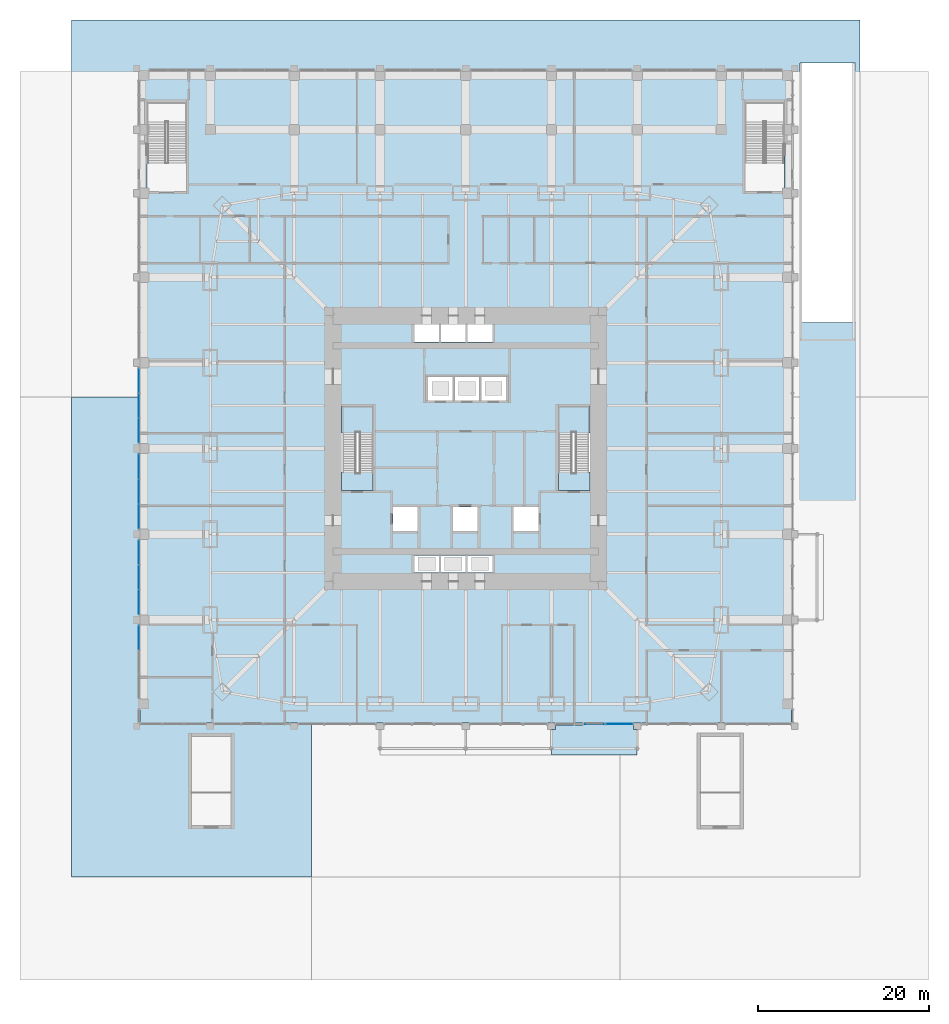
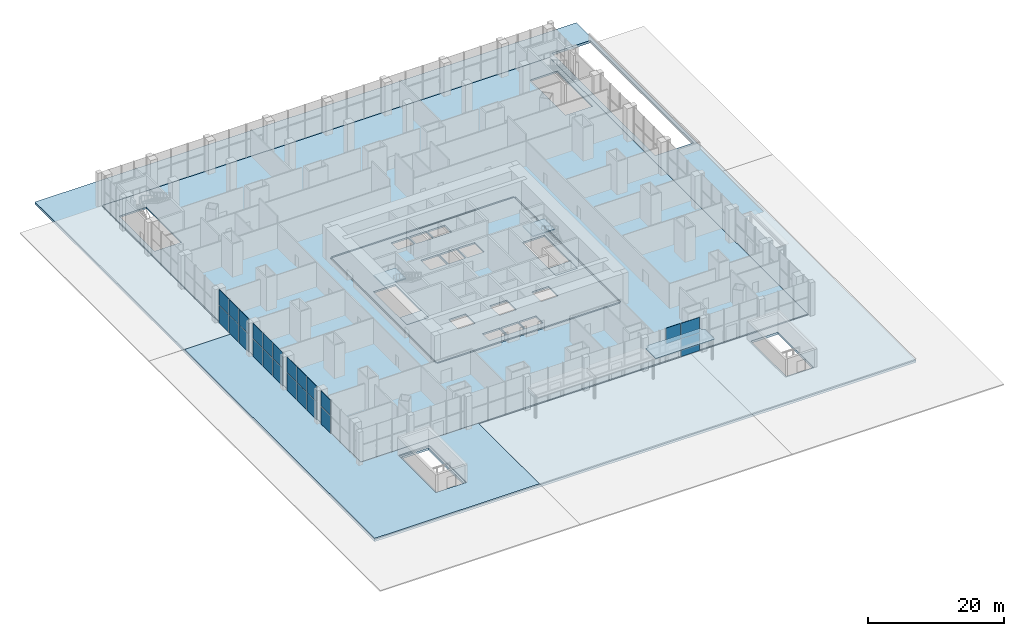
# One storey, part 18 of 31: 23 plates, 9 slabs, 8 elements without a shape of their own.
"""IFC4 building model written with IfcOpenShell, lengths in metres."""

from ifc_helpers import new_model, si_unit, direction, frame, origin, origin_2d, place, context, subcontext, project, spatial, polyline, rectangle, outline, extrude, material, layer, layer_set, type_object, element, aggregate, save


model = new_model("IFC4")

# Units and contexts
model_context = context("Model", 3, precision=1e-05, world=origin(), true_north=direction((0.0, 1.0)))
body_context = subcontext(model_context, "Body", "Model", "MODEL_VIEW")
ifc_project = project(units=[si_unit("LENGTHUNIT", "METRE"), si_unit("AREAUNIT", "SQUARE_METRE"), si_unit("VOLUMEUNIT", "CUBIC_METRE"), si_unit("PLANEANGLEUNIT", "RADIAN"), si_unit("MASSUNIT", "GRAM", prefix="KILO")], contexts=[model_context])

# Site, building, storey
site_placement = place(None, origin())
site = spatial("IfcSite", under=ifc_project, at=site_placement, CompositionType="ELEMENT")
building_placement = place(site_placement, origin())
building = spatial("IfcBuilding", under=site, at=building_placement, Name="Khuree Lantern Residences", CompositionType="ELEMENT")
storey_placement = place(building_placement, origin())
storey = spatial("IfcBuildingStorey", under=building, at=storey_placement, Name="L00", CompositionType="ELEMENT", Elevation=0.0)

# Slabs
ifc_material_1 = material(Name="Concrete C35/45", Category="concrete")
ifc_layer_1 = layer(ifc_material_1, 0.300048828125)
ifc_layer_set_1 = layer_set([ifc_layer_1], Name="CFL300 CORE FLOOR SLAB 300")
slab_type_1 = type_object("IfcSlabType", Name="CFL300 CORE FLOOR SLAB 300", PredefinedType="FLOOR", material=ifc_layer_set_1)
slab_1_placement = place(storey_placement, frame((0.0, 0.0, -0.300048828125)))
element("IfcSlab", 1, at=slab_1_placement, inside=storey, type_object=slab_type_1, Name="Core floor L00", PredefinedType="FLOOR", context=body_context, shape_type="SweptSolid", body=[
    extrude(outline(polyline([(-15.5, -15.5), (-15.5, 15.5), (15.5, 15.5), (15.5, -15.5), (-15.5, -15.5)]), holes=[polyline([(14.5, -4.89990234375), (14.5, 4.89990234375), (10.800048828125, 4.89990234375), (10.800048828125, -4.89990234375), (14.5, -4.89990234375)]), polyline([(8.5, -9.60009765625), (8.5, -6.800048828125), (5.60009765625, -6.800048828125), (5.60009765625, -9.60009765625), (8.5, -9.60009765625)]), polyline([(4.699951171875, 8.39990234375), (1.800048828125, 8.39990234375), (1.800048828125, 5.60009765625), (4.699951171875, 5.60009765625), (4.699951171875, 8.39990234375)]), polyline([(3.10009765625, -12.449951171875), (0.199951171875, -12.449951171875), (0.199951171875, -14.449951171875), (3.10009765625, -14.449951171875), (3.10009765625, -12.449951171875)]), polyline([(3.10009765625, 14.449951171875), (0.199951171875, 14.449951171875), (0.199951171875, 12.449951171875), (3.10009765625, 12.449951171875), (3.10009765625, 14.449951171875)]), polyline([(1.60009765625, 8.39990234375), (-1.300048828125, 8.39990234375), (-1.300048828125, 5.60009765625), (1.60009765625, 5.60009765625), (1.60009765625, 8.39990234375)]), polyline([(1.39990234375, -6.800048828125), (-1.5, -6.800048828125), (-1.5, -9.60009765625), (1.39990234375, -9.60009765625), (1.39990234375, -6.800048828125)]), polyline([(0.0, -12.449951171875), (-2.89990234375, -12.449951171875), (-2.89990234375, -14.449951171875), (0.0, -14.449951171875), (0.0, -12.449951171875)]), polyline([(0.0, 12.449951171875), (0.0, 14.449951171875), (-2.89990234375, 14.449951171875), (-2.89990234375, 12.449951171875), (0.0, 12.449951171875)]), polyline([(-1.5, 8.39990234375), (-4.39990234375, 8.39990234375), (-4.39990234375, 5.60009765625), (-1.5, 5.60009765625), (-1.5, 8.39990234375)]), polyline([(-3.10009765625, -12.449951171875), (-6.0, -12.449951171875), (-6.0, -14.449951171875), (-3.10009765625, -14.449951171875), (-3.10009765625, -12.449951171875)]), polyline([(-3.10009765625, 12.449951171875), (-3.10009765625, 14.449951171875), (-6.0, 14.449951171875), (-6.0, 12.449951171875), (-3.10009765625, 12.449951171875)]), polyline([(-5.60009765625, -6.800048828125), (-8.5, -6.800048828125), (-8.5, -9.60009765625), (-5.60009765625, -9.60009765625), (-5.60009765625, -6.800048828125)]), polyline([(-10.800048828125, 4.89990234375), (-14.5, 4.89990234375), (-14.5, -4.89990234375), (-10.800048828125, -4.89990234375), (-10.800048828125, 4.89990234375)])]), origin(), (0.0, 0.0, 1.0), 0.300048828125),
])
ifc_material_2 = material(Name="Laminated glass on bronze anodised aluminium frame", Category="aluminium")
ifc_layer_2 = layer(ifc_material_2, 0.080078125)
ifc_layer_set_2 = layer_set([ifc_layer_2], Name="ENTRANCE CANOPY CN1 80")
slab_type_2 = type_object("IfcSlabType", Name="ENTRANCE CANOPY CN1 80", PredefinedType="USERDEFINED", material=ifc_layer_set_2)
slab_2_placement = place(storey_placement, frame((0.0, 0.0, 4.0)))
element("IfcSlab", 2, at=slab_2_placement, inside=storey, type_object=slab_type_2, Name="SOUTH FACE BAY 6 ENTRANCE CANOPY", ObjectType="Canopy", PredefinedType="USERDEFINED", context=body_context, shape_type="SweptSolid", body=[
    extrude(outline(polyline([(10.449951171875, -32.25), (19.550048828125, -32.25), (19.550048828125, -32.75), (20.0, -32.75), (20.0, -35.75), (10.0, -35.75), (10.0, -32.75), (10.449951171875, -32.75), (10.449951171875, -32.25)])), origin(), (0.0, 0.0, 1.0), 0.080078125),
])
ifc_layer_3 = layer(ifc_material_1, 0.300048828125)
ifc_layer_set_3 = layer_set([ifc_layer_3], Name="FS300 FLOOR SLAB 300")
slab_type_3 = type_object("IfcSlabType", Name="FS300 FLOOR SLAB 300", PredefinedType="FLOOR", material=ifc_layer_set_3)
slab_3_placement = place(storey_placement, frame((0.0, 0.0, -0.300048828125)))
element("IfcSlab", 3, at=slab_3_placement, inside=storey, type_object=slab_type_3, Name="Floor slab L00", PredefinedType="FLOOR", context=body_context, shape_type="SweptSolid", body=[
    extrude(outline(polyline([(-38.0, 44.0), (38.0, 44.0), (38.0, -32.0), (-38.0, -32.0), (-38.0, 44.0)]), holes=[polyline([(37.199951171875, 30.0), (37.199951171875, 40.39990234375), (32.60009765625, 40.39990234375), (32.60009765625, 30.0), (37.199951171875, 30.0)]), polyline([(15.75, 15.5), (15.5, 15.5), (15.5, 15.75), (-15.5, 15.75), (-15.5, 15.5), (-15.75, 15.5), (-15.75, -15.5), (-15.5, -15.5), (-15.5, -15.75), (15.5, -15.75), (15.5, -15.5), (15.75, -15.5), (15.75, 15.5)]), polyline([(-32.60009765625, 40.39990234375), (-37.199951171875, 40.39990234375), (-37.199951171875, 30.0), (-32.60009765625, 30.0), (-32.60009765625, 40.39990234375)])]), origin(), (0.0, 0.0, 1.0), 0.300048828125),
])
ifc_layer_4 = layer(ifc_material_1, 0.39990234375)
ifc_layer_set_4 = layer_set([ifc_layer_4], Name="PD400 PLAZA DECK 400")
slab_type_4 = type_object("IfcSlabType", Name="PD400 PLAZA DECK 400", PredefinedType="FLOOR", material=ifc_layer_set_4)
slab_4_placement = place(storey_placement, frame((0.0, 0.0, -0.60009765625)))
element("IfcSlab", 4, at=slab_4_placement, inside=storey, type_object=slab_type_4, Name="Plaza deck", PredefinedType="FLOOR", context=body_context, shape_type="SweptSolid", body=[
    extrude(outline(polyline([(46.0, 50.0), (46.0, -50.0), (-46.0, -50.0), (-46.0, 50.0), (46.0, 50.0)]), holes=[polyline([(39.0, 45.0), (39.0, 14.699951171875), (45.5, 14.699951171875), (45.5, 45.0), (39.0, 45.0)]), polyline([(-38.0, -32.0), (38.0, -32.0), (38.0, 44.0), (-38.0, 44.0), (-38.0, -32.0)]), polyline([(32.0, -33.60009765625), (27.39990234375, -33.60009765625), (27.39990234375, -44.0), (32.0, -44.0), (32.0, -33.60009765625)]), polyline([(-27.39990234375, -33.60009765625), (-32.0, -33.60009765625), (-32.0, -44.0), (-27.39990234375, -44.0), (-27.39990234375, -33.60009765625)])]), origin(), (0.0, 0.0, 1.0), 0.400146484375),
])
ifc_material_3 = material(Name="Flamed granite setts on pedestals over the deck", Category="masonry")
ifc_layer_5 = layer(ifc_material_3, 0.199951171875)
ifc_layer_set_5 = layer_set([ifc_layer_5], Name="PLAZA PAVING")
slab_type_5 = type_object("IfcSlabType", Name="PLAZA PAVING", PredefinedType="USERDEFINED", material=ifc_layer_set_5)
slab_5_placement = place(storey_placement, frame((0.0, 0.0, -0.199951171875)))
element("IfcSlab", 5, at=slab_5_placement, inside=storey, type_object=slab_type_5, Name="PLAZA PAVING BAY 3", ObjectType="PAVING", PredefinedType="USERDEFINED", context=body_context, shape_type="SweptSolid", body=[
    extrude(outline(polyline([(-18.0048828125, -32.0), (-18.0048828125, -50.0), (-46.0, -50.0), (-46.0, 5.9951171875), (-38.0, 5.9951171875), (-38.0, -32.0), (-18.0048828125, -32.0)]), holes=[polyline([(-27.10009765625, -44.300048828125), (-27.10009765625, -33.300048828125), (-32.300048828125, -33.300048828125), (-32.300048828125, -44.300048828125), (-27.10009765625, -44.300048828125)])]), origin(), (0.0, 0.0, 1.0), 0.199951171875),
])

# Stair, slabs
ifc_material_4 = material(Name="Concrete C40/50", Category="concrete")
stair_type = type_object("IfcStairType", Name="STAIR ST1 HALF TURN 3600", PredefinedType="HALF_TURN_STAIR", material=ifc_material_4)
stair_1_placement = place(storey_placement, origin())
stair_1 = element("IfcStair", 6, at=stair_1_placement, inside=storey, type_object=stair_type, Name="Stair ST1", PredefinedType="HALF_TURN_STAIR")
ifc_layer_6 = layer(ifc_material_4, 0.199951171875)
ifc_layer_set_6 = layer_set([ifc_layer_6], Name="STAIR LANDING SL1 200")
slab_type_6 = type_object("IfcSlabType", Name="STAIR LANDING SL1 200", PredefinedType="LANDING", material=ifc_layer_set_6)
slab_6_placement = place(storey_placement, frame((0.0, 0.0, -0.199951171875)))
slab_6 = element("IfcSlab", 7, at=slab_6_placement, type_object=slab_type_6, Name="ST1 landing 1", PredefinedType="LANDING", context=body_context, shape_type="SweptSolid", body=[
    extrude(outline(polyline([(-14.5, -4.89990234375), (-10.800048828125, -4.89990234375), (-10.800048828125, -2.760009765625), (-14.5, -2.760009765625), (-14.5, -4.89990234375)])), origin(), (0.0, 0.0, 1.0), 0.199951171875),
])
slab_7_placement = place(storey_placement, frame((0.0, 0.0, 2.800048828125)))
slab_7 = element("IfcSlab", 8, at=slab_7_placement, type_object=slab_type_6, Name="ST1 landing 2", PredefinedType="LANDING", context=body_context, shape_type="SweptSolid", body=[
    extrude(outline(polyline([(-14.5, 1.800048828125), (-14.5, 4.89990234375), (-10.800048828125, 4.89990234375), (-10.800048828125, 1.800048828125), (-14.5, 1.800048828125)])), origin(), (0.0, 0.0, 1.0), 0.199951171875),
])
aggregate(stair_1, [slab_6, slab_7])

stair_2_placement = place(storey_placement, origin())
stair_2 = element("IfcStair", 9, at=stair_2_placement, inside=storey, type_object=stair_type, Name="Stair ST2", PredefinedType="HALF_TURN_STAIR")
slab_8_placement = place(storey_placement, frame((0.0, 0.0, -0.199951171875)))
slab_8 = element("IfcSlab", 10, at=slab_8_placement, type_object=slab_type_6, Name="ST2 landing 1", PredefinedType="LANDING", context=body_context, shape_type="SweptSolid", body=[
    extrude(outline(polyline([(10.800048828125, -4.89990234375), (14.5, -4.89990234375), (14.5, -2.760009765625), (10.800048828125, -2.760009765625), (10.800048828125, -4.89990234375)])), origin(), (0.0, 0.0, 1.0), 0.199951171875),
])
slab_9_placement = place(storey_placement, frame((0.0, 0.0, 2.800048828125)))
slab_9 = element("IfcSlab", 11, at=slab_9_placement, type_object=slab_type_6, Name="ST2 landing 2", PredefinedType="LANDING", context=body_context, shape_type="SweptSolid", body=[
    extrude(outline(polyline([(14.5, 4.89990234375), (14.5, 1.800048828125), (10.800048828125, 1.800048828125), (10.800048828125, 4.89990234375), (14.5, 4.89990234375)])), origin(), (0.0, 0.0, 1.0), 0.199951171875),
])
aggregate(stair_2, [slab_8, slab_9])

# Curtain wall, plates
ifc_material_5 = material(Name="Bronze anodised aluminium", Category="aluminium")
curtain_wall_type = type_object("IfcCurtainWallType", Name="CW-P PODIUM STOREFRONT CURTAIN WALL", PredefinedType="USERDEFINED", material=ifc_material_5)
curtain_wall_1_placement = place(storey_placement, origin())
curtain_wall_1 = element("IfcCurtainWall", 12, at=curtain_wall_1_placement, inside=storey, type_object=curtain_wall_type, Name="L00 SOUTH FACE BAY 6 RIGHT STOREFRONT", ObjectType="Storefront curtain wall", PredefinedType="USERDEFINED")
ifc_material_6 = material(Name="Bronze tinted laminated triple glazing", Category="glass")
ifc_layer_7 = layer(ifc_material_6, 0.0400390625)
ifc_layer_set_7 = layer_set([ifc_layer_7], Name="STOREFRONT GLASS PANEL P9")
plate_type = type_object("IfcPlateType", Name="STOREFRONT GLASS PANEL P9", PredefinedType="CURTAIN_PANEL", material=ifc_layer_set_7)
plate_1_placement = place(storey_placement, frame((17.925048828125, -32.14990234375, 0.0), z_axis=(0.0, 0.0, 1.0), x_axis=(1.0, 0.0, 0.0)))
plate_1 = element("IfcPlate", 13, at=plate_1_placement, type_object=plate_type, Name="L00 SOUTH FACE BAY 6 RIGHT PANEL 1.1", PredefinedType="CURTAIN_PANEL", context=body_context, shape_type="SweptSolid", body=[
    extrude(rectangle(XDim=3.10009765625, YDim=0.0400390625, at=origin_2d()), origin(), (0.0, 0.0, 1.0), 3.16259765625),
])
plate_2_placement = place(storey_placement, frame((17.925048828125, -32.14990234375, 3.2373046875), z_axis=(0.0, 0.0, 1.0), x_axis=(1.0, 0.0, 0.0)))
plate_2 = element("IfcPlate", 14, at=plate_2_placement, type_object=plate_type, Name="L00 SOUTH FACE BAY 6 RIGHT PANEL 1.2", PredefinedType="CURTAIN_PANEL", context=body_context, shape_type="SweptSolid", body=[
    extrude(rectangle(XDim=3.10009765625, YDim=0.0400390625, at=origin_2d()), origin(), (0.0, 0.0, 1.0), 2.762451171875),
])
aggregate(curtain_wall_1, [plate_1, plate_2])

# Curtain wall, plate
curtain_wall_2_placement = place(storey_placement, origin())
curtain_wall_2 = element("IfcCurtainWall", 15, at=curtain_wall_2_placement, inside=storey, type_object=curtain_wall_type, Name="L00 SOUTH FACE BAY 6 CLERESTORY STOREFRONT", ObjectType="Storefront curtain wall", PredefinedType="USERDEFINED")
plate_3_placement = place(storey_placement, frame((15.0, -32.14990234375, 3.2001953125), z_axis=(0.0, 0.0, 1.0), x_axis=(1.0, 0.0, 0.0)))
plate_3 = element("IfcPlate", 16, at=plate_3_placement, type_object=plate_type, Name="L00 SOUTH FACE BAY 6 CLERESTORY PANEL 1.1", PredefinedType="CURTAIN_PANEL", context=body_context, shape_type="SweptSolid", body=[
    extrude(rectangle(XDim=2.449951171875, YDim=0.0400390625, at=origin_2d()), origin(), (0.0, 0.0, 1.0), 2.800048828125),
])
aggregate(curtain_wall_2, [plate_3])

# Curtain wall, plates
curtain_wall_3_placement = place(storey_placement, origin())
curtain_wall_3 = element("IfcCurtainWall", 17, at=curtain_wall_3_placement, inside=storey, type_object=curtain_wall_type, Name="L00 WEST FACE BAY 5 STOREFRONT", ObjectType="Storefront curtain wall", PredefinedType="USERDEFINED")
plate_4_placement = place(storey_placement, frame((-38.14990234375, 7.908447265625, 0.0), z_axis=(0.0, 0.0, 1.0), x_axis=(0.0, -1.0, 0.0)))
plate_4 = element("IfcPlate", 18, at=plate_4_placement, type_object=plate_type, Name="L00 WEST FACE BAY 5 PANEL 1.1", PredefinedType="CURTAIN_PANEL", context=body_context, shape_type="SweptSolid", body=[
    extrude(rectangle(XDim=2.833251953125, YDim=0.0400390625, at=origin_2d()), origin(), (0.0, 0.0, 1.0), 3.16259765625),
])
plate_5_placement = place(storey_placement, frame((-38.14990234375, 7.908447265625, 3.2373046875), z_axis=(0.0, 0.0, 1.0), x_axis=(0.0, -1.0, 0.0)))
plate_5 = element("IfcPlate", 19, at=plate_5_placement, type_object=plate_type, Name="L00 WEST FACE BAY 5 PANEL 1.2", PredefinedType="CURTAIN_PANEL", context=body_context, shape_type="SweptSolid", body=[
    extrude(rectangle(XDim=2.833251953125, YDim=0.0400390625, at=origin_2d()), origin(), (0.0, 0.0, 1.0), 2.762451171875),
])
plate_6_placement = place(storey_placement, frame((-38.14990234375, 5.0, 0.0), z_axis=(0.0, 0.0, 1.0), x_axis=(0.0, -1.0, 0.0)))
plate_6 = element("IfcPlate", 20, at=plate_6_placement, type_object=plate_type, Name="L00 WEST FACE BAY 5 PANEL 2.1", PredefinedType="CURTAIN_PANEL", context=body_context, shape_type="SweptSolid", body=[
    extrude(rectangle(XDim=2.833251953125, YDim=0.0400390625, at=origin_2d()), origin(), (0.0, 0.0, 1.0), 3.16259765625),
])
plate_7_placement = place(storey_placement, frame((-38.14990234375, 5.0, 3.2373046875), z_axis=(0.0, 0.0, 1.0), x_axis=(0.0, -1.0, 0.0)))
plate_7 = element("IfcPlate", 21, at=plate_7_placement, type_object=plate_type, Name="L00 WEST FACE BAY 5 PANEL 2.2", PredefinedType="CURTAIN_PANEL", context=body_context, shape_type="SweptSolid", body=[
    extrude(rectangle(XDim=2.833251953125, YDim=0.0400390625, at=origin_2d()), origin(), (0.0, 0.0, 1.0), 2.762451171875),
])
plate_8_placement = place(storey_placement, frame((-38.14990234375, 2.091552734375, 0.0), z_axis=(0.0, 0.0, 1.0), x_axis=(0.0, -1.0, 0.0)))
plate_8 = element("IfcPlate", 22, at=plate_8_placement, type_object=plate_type, Name="L00 WEST FACE BAY 5 PANEL 3.1", PredefinedType="CURTAIN_PANEL", context=body_context, shape_type="SweptSolid", body=[
    extrude(rectangle(XDim=2.833251953125, YDim=0.0400390625, at=origin_2d()), origin(), (0.0, 0.0, 1.0), 3.16259765625),
])
plate_9_placement = place(storey_placement, frame((-38.14990234375, 2.091552734375, 3.2373046875), z_axis=(0.0, 0.0, 1.0), x_axis=(0.0, -1.0, 0.0)))
plate_9 = element("IfcPlate", 23, at=plate_9_placement, type_object=plate_type, Name="L00 WEST FACE BAY 5 PANEL 3.2", PredefinedType="CURTAIN_PANEL", context=body_context, shape_type="SweptSolid", body=[
    extrude(rectangle(XDim=2.833251953125, YDim=0.0400390625, at=origin_2d()), origin(), (0.0, 0.0, 1.0), 2.762451171875),
])
aggregate(curtain_wall_3, [plate_4, plate_5, plate_6, plate_7, plate_8, plate_9])

curtain_wall_4_placement = place(storey_placement, origin())
curtain_wall_4 = element("IfcCurtainWall", 24, at=curtain_wall_4_placement, inside=storey, type_object=curtain_wall_type, Name="L00 WEST FACE BAY 6 STOREFRONT", ObjectType="Storefront curtain wall", PredefinedType="USERDEFINED")
plate_10_placement = place(storey_placement, frame((-38.14990234375, -2.091552734375, 0.0), z_axis=(0.0, 0.0, 1.0), x_axis=(0.0, -1.0, 0.0)))
plate_10 = element("IfcPlate", 25, at=plate_10_placement, type_object=plate_type, Name="L00 WEST FACE BAY 6 PANEL 1.1", PredefinedType="CURTAIN_PANEL", context=body_context, shape_type="SweptSolid", body=[
    extrude(rectangle(XDim=2.833251953125, YDim=0.0400390625, at=origin_2d()), origin(), (0.0, 0.0, 1.0), 3.16259765625),
])
plate_11_placement = place(storey_placement, frame((-38.14990234375, -2.091552734375, 3.2373046875), z_axis=(0.0, 0.0, 1.0), x_axis=(0.0, -1.0, 0.0)))
plate_11 = element("IfcPlate", 26, at=plate_11_placement, type_object=plate_type, Name="L00 WEST FACE BAY 6 PANEL 1.2", PredefinedType="CURTAIN_PANEL", context=body_context, shape_type="SweptSolid", body=[
    extrude(rectangle(XDim=2.833251953125, YDim=0.0400390625, at=origin_2d()), origin(), (0.0, 0.0, 1.0), 2.762451171875),
])
plate_12_placement = place(storey_placement, frame((-38.14990234375, -5.0, 0.0), z_axis=(0.0, 0.0, 1.0), x_axis=(0.0, -1.0, 0.0)))
plate_12 = element("IfcPlate", 27, at=plate_12_placement, type_object=plate_type, Name="L00 WEST FACE BAY 6 PANEL 2.1", PredefinedType="CURTAIN_PANEL", context=body_context, shape_type="SweptSolid", body=[
    extrude(rectangle(XDim=2.833251953125, YDim=0.0400390625, at=origin_2d()), origin(), (0.0, 0.0, 1.0), 3.16259765625),
])
plate_13_placement = place(storey_placement, frame((-38.14990234375, -5.0, 3.2373046875), z_axis=(0.0, 0.0, 1.0), x_axis=(0.0, -1.0, 0.0)))
plate_13 = element("IfcPlate", 28, at=plate_13_placement, type_object=plate_type, Name="L00 WEST FACE BAY 6 PANEL 2.2", PredefinedType="CURTAIN_PANEL", context=body_context, shape_type="SweptSolid", body=[
    extrude(rectangle(XDim=2.833251953125, YDim=0.0400390625, at=origin_2d()), origin(), (0.0, 0.0, 1.0), 2.762451171875),
])
plate_14_placement = place(storey_placement, frame((-38.14990234375, -7.908447265625, 0.0), z_axis=(0.0, 0.0, 1.0), x_axis=(0.0, -1.0, 0.0)))
plate_14 = element("IfcPlate", 29, at=plate_14_placement, type_object=plate_type, Name="L00 WEST FACE BAY 6 PANEL 3.1", PredefinedType="CURTAIN_PANEL", context=body_context, shape_type="SweptSolid", body=[
    extrude(rectangle(XDim=2.833251953125, YDim=0.0400390625, at=origin_2d()), origin(), (0.0, 0.0, 1.0), 3.16259765625),
])
plate_15_placement = place(storey_placement, frame((-38.14990234375, -7.908447265625, 3.2373046875), z_axis=(0.0, 0.0, 1.0), x_axis=(0.0, -1.0, 0.0)))
plate_15 = element("IfcPlate", 30, at=plate_15_placement, type_object=plate_type, Name="L00 WEST FACE BAY 6 PANEL 3.2", PredefinedType="CURTAIN_PANEL", context=body_context, shape_type="SweptSolid", body=[
    extrude(rectangle(XDim=2.833251953125, YDim=0.0400390625, at=origin_2d()), origin(), (0.0, 0.0, 1.0), 2.762451171875),
])
aggregate(curtain_wall_4, [plate_10, plate_11, plate_12, plate_13, plate_14, plate_15])

curtain_wall_5_placement = place(storey_placement, origin())
curtain_wall_5 = element("IfcCurtainWall", 31, at=curtain_wall_5_placement, inside=storey, type_object=curtain_wall_type, Name="L00 WEST FACE BAY 7 STOREFRONT", ObjectType="Storefront curtain wall", PredefinedType="USERDEFINED")
plate_16_placement = place(storey_placement, frame((-38.14990234375, -12.091552734375, 0.0), z_axis=(0.0, 0.0, 1.0), x_axis=(0.0, -1.0, 0.0)))
plate_16 = element("IfcPlate", 32, at=plate_16_placement, type_object=plate_type, Name="L00 WEST FACE BAY 7 PANEL 1.1", PredefinedType="CURTAIN_PANEL", context=body_context, shape_type="SweptSolid", body=[
    extrude(rectangle(XDim=2.833251953125, YDim=0.0400390625, at=origin_2d()), origin(), (0.0, 0.0, 1.0), 3.16259765625),
])
plate_17_placement = place(storey_placement, frame((-38.14990234375, -12.091552734375, 3.2373046875), z_axis=(0.0, 0.0, 1.0), x_axis=(0.0, -1.0, 0.0)))
plate_17 = element("IfcPlate", 33, at=plate_17_placement, type_object=plate_type, Name="L00 WEST FACE BAY 7 PANEL 1.2", PredefinedType="CURTAIN_PANEL", context=body_context, shape_type="SweptSolid", body=[
    extrude(rectangle(XDim=2.833251953125, YDim=0.0400390625, at=origin_2d()), origin(), (0.0, 0.0, 1.0), 2.762451171875),
])
plate_18_placement = place(storey_placement, frame((-38.14990234375, -15.0, 0.0), z_axis=(0.0, 0.0, 1.0), x_axis=(0.0, -1.0, 0.0)))
plate_18 = element("IfcPlate", 34, at=plate_18_placement, type_object=plate_type, Name="L00 WEST FACE BAY 7 PANEL 2.1", PredefinedType="CURTAIN_PANEL", context=body_context, shape_type="SweptSolid", body=[
    extrude(rectangle(XDim=2.833251953125, YDim=0.0400390625, at=origin_2d()), origin(), (0.0, 0.0, 1.0), 3.16259765625),
])
plate_19_placement = place(storey_placement, frame((-38.14990234375, -15.0, 3.2373046875), z_axis=(0.0, 0.0, 1.0), x_axis=(0.0, -1.0, 0.0)))
plate_19 = element("IfcPlate", 35, at=plate_19_placement, type_object=plate_type, Name="L00 WEST FACE BAY 7 PANEL 2.2", PredefinedType="CURTAIN_PANEL", context=body_context, shape_type="SweptSolid", body=[
    extrude(rectangle(XDim=2.833251953125, YDim=0.0400390625, at=origin_2d()), origin(), (0.0, 0.0, 1.0), 2.762451171875),
])
plate_20_placement = place(storey_placement, frame((-38.14990234375, -17.908447265625, 0.0), z_axis=(0.0, 0.0, 1.0), x_axis=(0.0, -1.0, 0.0)))
plate_20 = element("IfcPlate", 36, at=plate_20_placement, type_object=plate_type, Name="L00 WEST FACE BAY 7 PANEL 3.1", PredefinedType="CURTAIN_PANEL", context=body_context, shape_type="SweptSolid", body=[
    extrude(rectangle(XDim=2.833251953125, YDim=0.0400390625, at=origin_2d()), origin(), (0.0, 0.0, 1.0), 3.16259765625),
])
plate_21_placement = place(storey_placement, frame((-38.14990234375, -17.908447265625, 3.2373046875), z_axis=(0.0, 0.0, 1.0), x_axis=(0.0, -1.0, 0.0)))
plate_21 = element("IfcPlate", 37, at=plate_21_placement, type_object=plate_type, Name="L00 WEST FACE BAY 7 PANEL 3.2", PredefinedType="CURTAIN_PANEL", context=body_context, shape_type="SweptSolid", body=[
    extrude(rectangle(XDim=2.833251953125, YDim=0.0400390625, at=origin_2d()), origin(), (0.0, 0.0, 1.0), 2.762451171875),
])
aggregate(curtain_wall_5, [plate_16, plate_17, plate_18, plate_19, plate_20, plate_21])

curtain_wall_6_placement = place(storey_placement, origin())
curtain_wall_6 = element("IfcCurtainWall", 38, at=curtain_wall_6_placement, inside=storey, type_object=curtain_wall_type, Name="L00 WEST FACE BAY 8 STOREFRONT", ObjectType="Storefront curtain wall", PredefinedType="USERDEFINED")
plate_22_placement = place(storey_placement, frame((-38.14990234375, -22.058349609375, 0.0), z_axis=(0.0, 0.0, 1.0), x_axis=(0.0, -1.0, 0.0)))
plate_22 = element("IfcPlate", 39, at=plate_22_placement, type_object=plate_type, Name="L00 WEST FACE BAY 8 PANEL 1.1", PredefinedType="CURTAIN_PANEL", context=body_context, shape_type="SweptSolid", body=[
    extrude(rectangle(XDim=2.7666015625, YDim=0.0400390625, at=origin_2d()), origin(), (0.0, 0.0, 1.0), 3.16259765625),
])
plate_23_placement = place(storey_placement, frame((-38.14990234375, -22.058349609375, 3.2373046875), z_axis=(0.0, 0.0, 1.0), x_axis=(0.0, -1.0, 0.0)))
plate_23 = element("IfcPlate", 40, at=plate_23_placement, type_object=plate_type, Name="L00 WEST FACE BAY 8 PANEL 1.2", PredefinedType="CURTAIN_PANEL", context=body_context, shape_type="SweptSolid", body=[
    extrude(rectangle(XDim=2.7666015625, YDim=0.0400390625, at=origin_2d()), origin(), (0.0, 0.0, 1.0), 2.762451171875),
])
aggregate(curtain_wall_6, [plate_22, plate_23])

save(model, "model.ifc")
